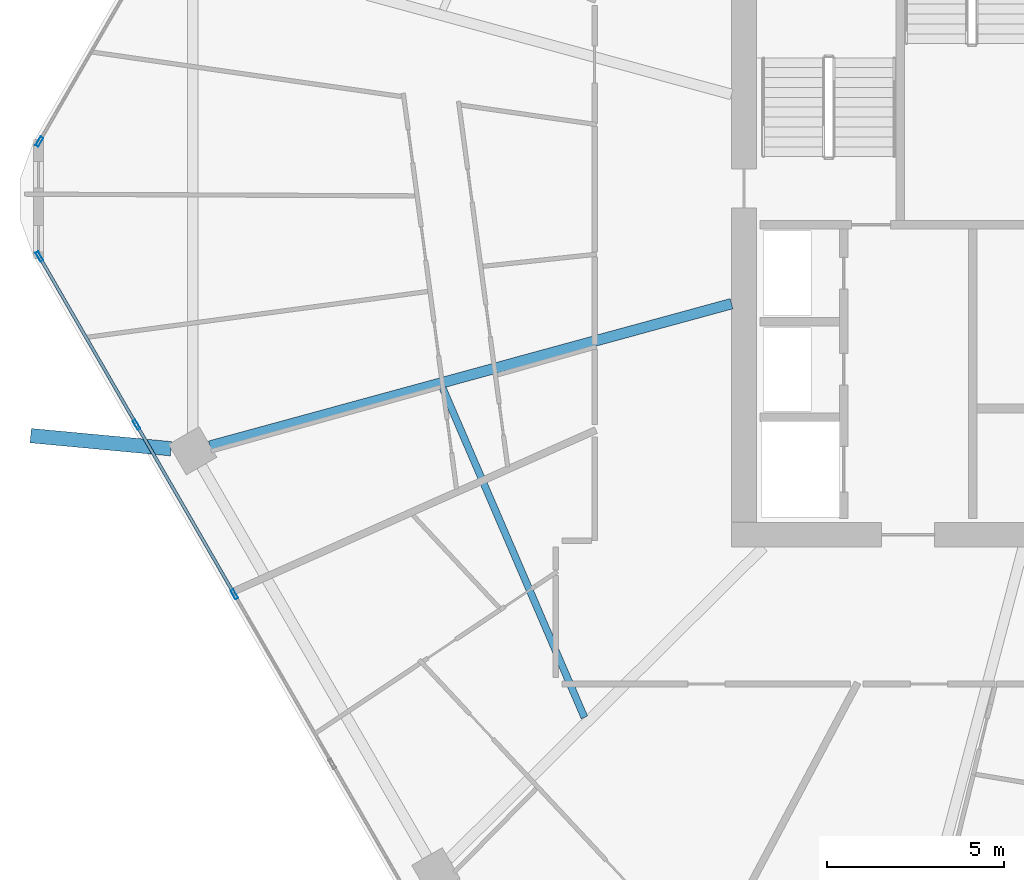
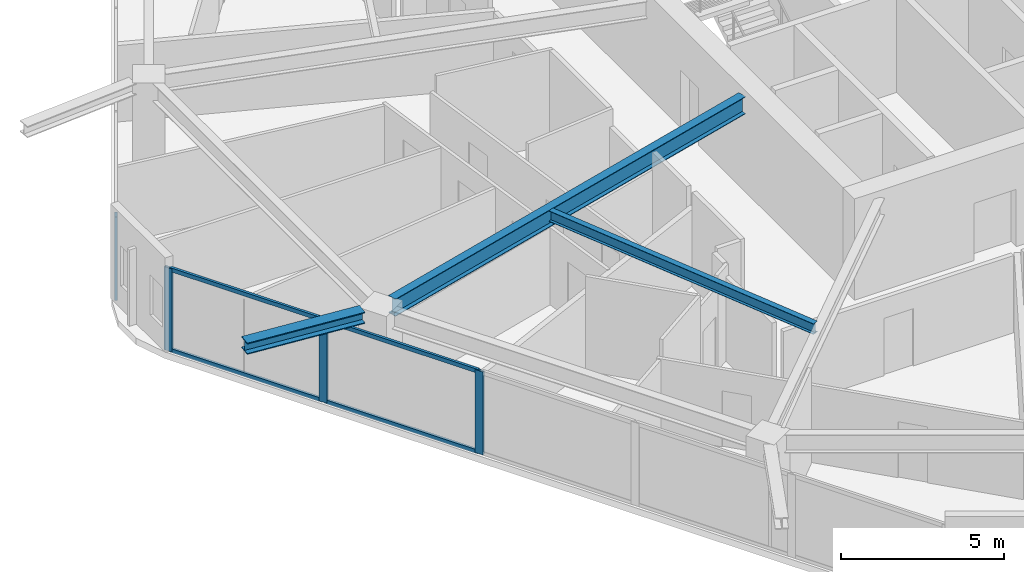
# One storey, part 5 of 27: 8 members, 3 beams, 2 elements without a shape of their own.
"""IFC4 building model written with IfcOpenShell, lengths in metres."""

from ifc_helpers import new_model, si_unit, direction, frame, origin, origin_2d, place, context, subcontext, project, spatial, hollow_rectangle, i_section, extrude, material, material_profile, profile_set, type_object, element, aggregate, save


model = new_model("IFC4")

# Units and contexts
model_context = context("Model", 3, precision=1e-05, world=origin(), true_north=direction((0.0, 1.0)))
body_context = subcontext(model_context, "Body", "Model", "MODEL_VIEW")
ifc_project = project(units=[si_unit("LENGTHUNIT", "METRE"), si_unit("AREAUNIT", "SQUARE_METRE"), si_unit("VOLUMEUNIT", "CUBIC_METRE"), si_unit("PLANEANGLEUNIT", "RADIAN"), si_unit("MASSUNIT", "GRAM", prefix="KILO")], contexts=[model_context])

# Site, building, storey
site_placement = place(None, origin())
site = spatial("IfcSite", under=ifc_project, at=site_placement, CompositionType="ELEMENT")
building_placement = place(site_placement, origin())
building = spatial("IfcBuilding", under=site, at=building_placement, Name="Zuhravey Tower", CompositionType="ELEMENT")
storey_placement = place(building_placement, frame((0.0, 0.0, 173.199951171875)))
storey = spatial("IfcBuildingStorey", under=building, at=storey_placement, Name="L43", CompositionType="ELEMENT", Elevation=173.199951171875)

# Curtain wall, members
ifc_material_1 = material(Name="Thermally broken anodised aluminium", Category="aluminium")
curtain_wall_type = type_object("IfcCurtainWallType", Name="Zone 1-2 Residential Curtain Wall CW3", PredefinedType="NOTDEFINED", material=ifc_material_1)
curtain_wall_1_placement = place(storey_placement, origin())
curtain_wall_1 = element("IfcCurtainWall", 1, at=curtain_wall_1_placement, inside=storey, type_object=curtain_wall_type, Name="L43 CW3 CW-L43-F4-1", PredefinedType="NOTDEFINED")
ifc_material_2 = material(Name="Anodised aluminium", Category="aluminium")
ifc_material_profile_1 = material_profile(ifc_material_2, hollow_rectangle(XDim=0.090087890625, YDim=0.284912109375, WallThickness=0.0048828125, at=origin_2d()), Name="ALU-RHS-90x285x5")
ifc_profile_set_1 = profile_set([ifc_material_profile_1], Name="Anodised aluminium")
member_type_1 = type_object("IfcMemberType", Name="Curtain-Wall Mullion 90x180", PredefinedType="MULLION", material=ifc_profile_set_1)
member_1_placement = place(storey_placement, frame((11.07275390625, 20.809326171875, 0.0), z_axis=(0.0, 0.0, 1.0), x_axis=(-0.866025138215, -0.500000459979, 0.0)))
member_1 = element("IfcMember", 2, at=member_1_placement, type_object=member_type_1, Name="CW3 mullion 4", PredefinedType="MULLION", context=body_context, shape_type="SweptSolid", body=[
    extrude(hollow_rectangle(XDim=0.090087890625, YDim=0.284912109375, WallThickness=0.0048828125, at=origin_2d()), origin(), (0.0, 0.0, 1.0), 3.1220703125),
])
member_2_placement = place(storey_placement, frame((8.300537109375, 25.61083984375, 0.0), z_axis=(0.0, 0.0, 1.0), x_axis=(-0.866025138215, -0.500000459979, 0.0)))
member_2 = element("IfcMember", 3, at=member_2_placement, type_object=member_type_1, Name="CW3 mullion 5", PredefinedType="MULLION", context=body_context, shape_type="SweptSolid", body=[
    extrude(hollow_rectangle(XDim=0.090087890625, YDim=0.284912109375, WallThickness=0.0048828125, at=origin_2d()), origin(), (0.0, 0.0, 1.0), 3.1220703125),
])
member_3_placement = place(storey_placement, frame((5.55078125, 30.37353515625, 0.0), z_axis=(0.0, 0.0, 1.0), x_axis=(-0.866025138215, -0.500000459979, 0.0)))
member_3 = element("IfcMember", 4, at=member_3_placement, type_object=member_type_1, Name="CW3 mullion 6", PredefinedType="MULLION", context=body_context, shape_type="SweptSolid", body=[
    extrude(hollow_rectangle(XDim=0.090087890625, YDim=0.284912109375, WallThickness=0.0048828125, at=origin_2d()), origin(), (0.0, 0.0, 1.0), 3.1220703125),
])

# Curtain wall, member
curtain_wall_2_placement = place(storey_placement, origin())
curtain_wall_2 = element("IfcCurtainWall", 5, at=curtain_wall_2_placement, inside=storey, type_object=curtain_wall_type, Name="L43 CW3 CW-L43-F3-1", PredefinedType="NOTDEFINED")
member_4_placement = place(storey_placement, frame((5.55078125, 33.62646484375, 0.0), z_axis=(0.0, 0.0, 1.0), x_axis=(-0.866025138215, 0.500000459979, 0.0)))
member_4 = element("IfcMember", 6, at=member_4_placement, type_object=member_type_1, Name="CW3 mullion 1", PredefinedType="MULLION", context=body_context, shape_type="SweptSolid", body=[
    extrude(hollow_rectangle(XDim=0.090087890625, YDim=0.284912109375, WallThickness=0.0048828125, at=origin_2d()), origin(), (0.0, 0.0, 1.0), 3.1220703125),
])
aggregate(curtain_wall_2, [member_4])

# Member
ifc_material_profile_2 = material_profile(ifc_material_2, hollow_rectangle(XDim=0.090087890625, YDim=0.14990234375, WallThickness=0.0048828125, at=origin_2d()), Name="ALU-RHS-90x150x5")
ifc_profile_set_2 = profile_set([ifc_material_profile_2], Name="Anodised aluminium")
member_type_2 = type_object("IfcMemberType", Name="Curtain-Wall Transom 90x150", PredefinedType="USERDEFINED", material=ifc_profile_set_2)
member_5_placement = place(storey_placement, frame((11.050048828125, 20.84814453125, 0.045166015625), z_axis=(-0.49996138257, 0.86604769842, 0.0), x_axis=(-0.86604769842, -0.49996138257, 0.0)))
member_5 = element("IfcMember", 7, at=member_5_placement, type_object=member_type_2, Name="CW3 transom 4.1", ObjectType="TRANSOM", PredefinedType="USERDEFINED", context=body_context, shape_type="SweptSolid", body=[
    extrude(hollow_rectangle(XDim=0.090087890625, YDim=0.14990234375, WallThickness=0.0048828125, at=origin_2d()), origin(), (0.0, 0.0, 1.0), 5.45458984375),
])

member_6_placement = place(storey_placement, frame((11.050048828125, 20.84814453125, 3.0771484375), z_axis=(-0.49996138257, 0.86604769842, 0.0), x_axis=(-0.86604769842, -0.49996138257, 0.0)))
member_6 = element("IfcMember", 8, at=member_6_placement, type_object=member_type_2, Name="CW3 transom 4.2", ObjectType="TRANSOM", PredefinedType="USERDEFINED", context=body_context, shape_type="SweptSolid", body=[
    extrude(hollow_rectangle(XDim=0.090087890625, YDim=0.14990234375, WallThickness=0.0048828125, at=origin_2d()), origin(), (0.0, 0.0, 1.0), 5.45458984375),
])

member_7_placement = place(storey_placement, frame((8.27783203125, 25.64990234375, 0.045166015625), z_axis=(-0.499993332629, 0.866029253159, 0.0), x_axis=(-0.866029253159, -0.499993332629, 0.0)))
member_7 = element("IfcMember", 9, at=member_7_placement, type_object=member_type_2, Name="CW3 transom 5.1", ObjectType="TRANSOM", PredefinedType="USERDEFINED", context=body_context, shape_type="SweptSolid", body=[
    extrude(hollow_rectangle(XDim=0.090087890625, YDim=0.14990234375, WallThickness=0.0048828125, at=origin_2d()), origin(), (0.0, 0.0, 1.0), 5.4091796875),
])

member_8_placement = place(storey_placement, frame((8.27783203125, 25.64990234375, 3.0771484375), z_axis=(-0.499993332629, 0.866029253159, 0.0), x_axis=(-0.866029253159, -0.499993332629, 0.0)))
member_8 = element("IfcMember", 10, at=member_8_placement, type_object=member_type_2, Name="CW3 transom 5.2", ObjectType="TRANSOM", PredefinedType="USERDEFINED", context=body_context, shape_type="SweptSolid", body=[
    extrude(hollow_rectangle(XDim=0.090087890625, YDim=0.14990234375, WallThickness=0.0048828125, at=origin_2d()), origin(), (0.0, 0.0, 1.0), 5.4091796875),
])

aggregate(curtain_wall_1, [member_1, member_2, member_3, member_5, member_6, member_7, member_8])

# Beams
ifc_material_3 = material(Name="Steel SM460", Category="steel")
ifc_material_profile_3 = material_profile(ifc_material_3, i_section(OverallWidth=0.406982421875, OverallDepth=0.427978515625, WebThickness=0.02001953125, FlangeThickness=0.034912109375, at=origin_2d()), Name="H-428x407x20x35")
ifc_profile_set_3 = profile_set([ifc_material_profile_3], Name="Steel SM460")
beam_type_1 = type_object("IfcBeamType", Name="Exoskeleton Node Tie Beam H428x407", PredefinedType="BEAM", material=ifc_profile_set_3)
beam_1_placement = place(storey_placement, frame((9.278076171875, 24.930908203125, 3.3359375), z_axis=(-0.995664387001, 0.093018430746, 0.0), x_axis=(-0.093018430746, -0.995664387001, 0.0)))
element("IfcBeam", 11, at=beam_1_placement, inside=storey, type_object=beam_type_1, Name="L43 Exoskeleton Node Tie NT1-07", PredefinedType="BEAM", context=body_context, shape_type="SweptSolid", body=[
    extrude(i_section(OverallWidth=0.406982421875, OverallDepth=0.427978515625, WebThickness=0.02001953125, FlangeThickness=0.034912109375, at=origin_2d()), origin(), (0.0, 0.0, 1.0), 3.989501953125),
])
ifc_material_4 = material(Name="Steel SM355", Category="steel")
ifc_material_profile_4 = material_profile(ifc_material_4, i_section(OverallWidth=0.300048828125, OverallDepth=0.64990234375, WebThickness=0.012939453125, FlangeThickness=0.02197265625, at=origin_2d()), Name="H-650x300x13x22")
ifc_profile_set_4 = profile_set([ifc_material_profile_4], Name="Steel SM355")
beam_type_2 = type_object("IfcBeamType", Name="Radial Primary Girder H650x300", PredefinedType="BEAM", material=ifc_profile_set_4)
beam_2_placement = place(storey_placement, frame((25.14697265625, 29.03759765625, 3.22509765625), z_axis=(-0.964701601771, -0.263345437667, 0.0), x_axis=(0.263345437667, -0.964701601771, 0.0)))
element("IfcBeam", 12, at=beam_2_placement, inside=storey, type_object=beam_type_2, Name="L43 RG2 BM-L43-RAD-07", PredefinedType="BEAM", context=body_context, shape_type="SweptSolid", body=[
    extrude(i_section(OverallWidth=0.300048828125, OverallDepth=0.64990234375, WebThickness=0.012939453125, FlangeThickness=0.02197265625, at=origin_2d()), origin(), (0.0, 0.0, 1.0), 15.309814453125),
])
ifc_material_profile_5 = material_profile(ifc_material_4, i_section(OverallWidth=0.199951171875, OverallDepth=0.39990234375, WebThickness=0.008056640625, FlangeThickness=0.012939453125, at=origin_2d()), Name="H-400x200x8x13")
ifc_profile_set_5 = profile_set([ifc_material_profile_5], Name="Steel SM355")
beam_type_3 = type_object("IfcBeamType", Name="Secondary Floor Joist H400x200", PredefinedType="JOIST", material=ifc_profile_set_5)
beam_3_placement = place(storey_placement, frame((16.970458984375, 26.6474609375, 3.35009765625), z_axis=(0.395265853487, -0.918566766799, 0.0), x_axis=(0.918566766799, 0.395265853487, 0.0)))
element("IfcBeam", 13, at=beam_3_placement, inside=storey, type_object=beam_type_3, Name="L43 SJ2 BM-L43-SJ-07-1", PredefinedType="JOIST", context=body_context, shape_type="SweptSolid", body=[
    extrude(i_section(OverallWidth=0.199951171875, OverallDepth=0.39990234375, WebThickness=0.008056640625, FlangeThickness=0.012939453125, at=origin_2d()), origin(), (0.0, 0.0, 1.0), 10.150146484375),
])

save(model, "model.ifc")
